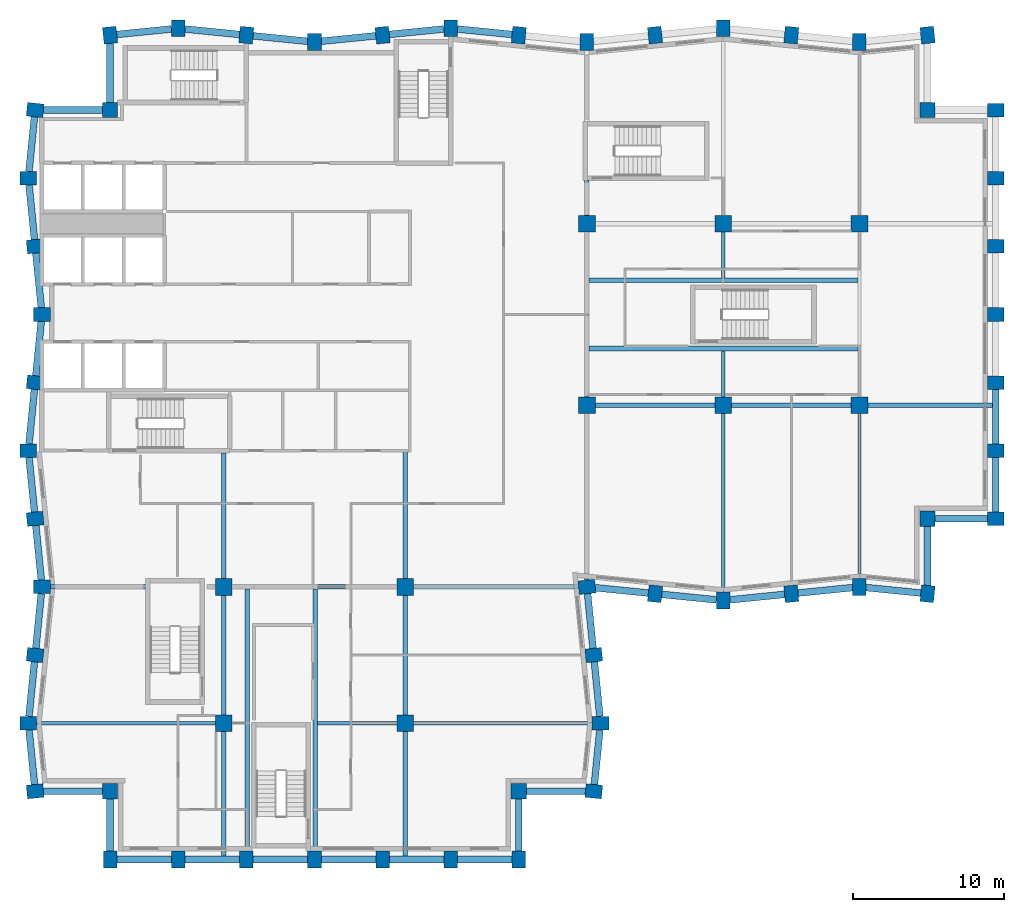
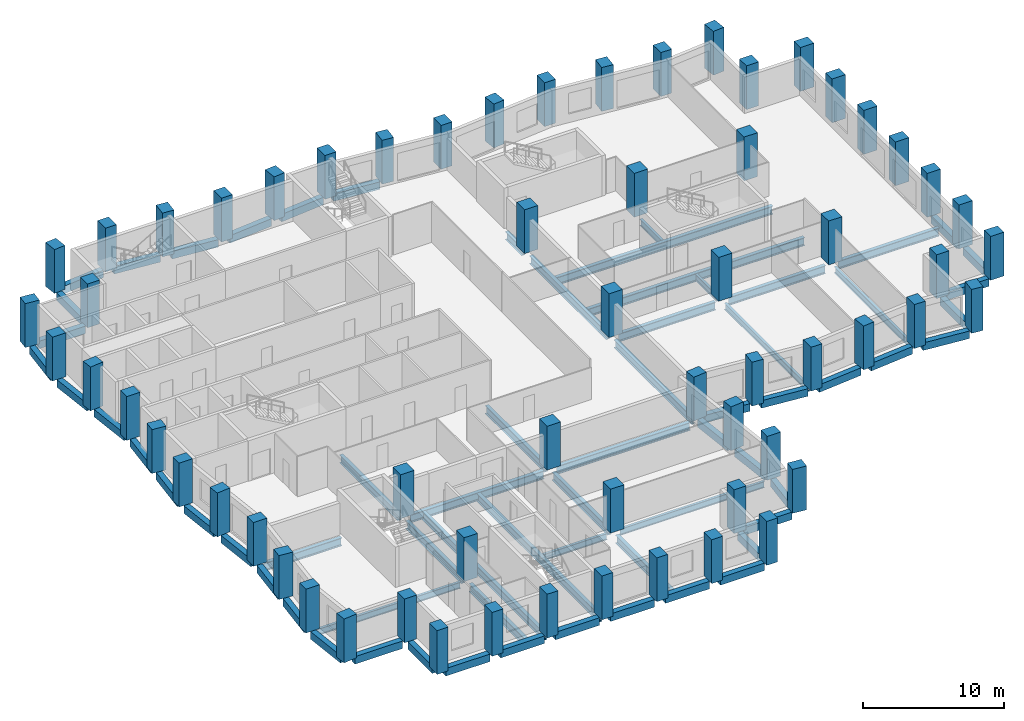
# One storey, part 1 of 10: 66 beams, 62 columns.
"""IFC4 building model written with IfcOpenShell, lengths in metres."""

from ifc_helpers import new_model, si_unit, direction, frame, origin, origin_2d, place, context, subcontext, project, spatial, rectangle, i_section, extrude, material, material_profile, profile_set, type_object, element, save


model = new_model("IFC4")

# Units and contexts
model_context = context("Model", 3, precision=1e-05, world=origin(), true_north=direction((0.0, 1.0)))
body_context = subcontext(model_context, "Body", "Model", "MODEL_VIEW")
ifc_project = project(units=[si_unit("LENGTHUNIT", "METRE"), si_unit("AREAUNIT", "SQUARE_METRE"), si_unit("VOLUMEUNIT", "CUBIC_METRE"), si_unit("PLANEANGLEUNIT", "RADIAN"), si_unit("MASSUNIT", "GRAM", prefix="KILO")], contexts=[model_context])

# Site, building, storey
site_placement = place(None, origin())
site = spatial("IfcSite", under=ifc_project, at=site_placement, CompositionType="ELEMENT")
building_placement = place(site_placement, origin())
building = spatial("IfcBuilding", under=site, at=building_placement, Name="Brondeck Convention Tower", CompositionType="ELEMENT")
storey_placement = place(building_placement, frame((0.0, 0.0, 158.60009765625)))
storey = spatial("IfcBuildingStorey", under=building, at=storey_placement, Name="L38", CompositionType="ELEMENT", Elevation=158.60009765625)

# Columns
ifc_material_1 = material(Name="Concrete C70/85", Category="concrete")
ifc_material_profile_1 = material_profile(ifc_material_1, rectangle(XDim=1.0, YDim=1.0, at=origin_2d()), Name="Corner column 1000x1000 Concrete C70/85")
ifc_profile_set_1 = profile_set([ifc_material_profile_1], Name="Concrete C70/85")
column_type_1 = type_object("IfcColumnType", Name="Corner column 1000x1000 Concrete C70/85", PredefinedType="COLUMN", material=ifc_profile_set_1)
for number, where, z_axis, x_axis, name in (
    (1, (4.5, 13.5, 0.0), (0.0, 0.0, 1.0), (1.0, 0.0, 0.0), "STR-COL-L38-NC-SWB9"),
    (2, (31.5, 13.5, 0.0), (0.0, 0.0, 1.0), (1.0, 0.0, 0.0), "STR-COL-L38-NC-SEB9"),
    (3, (58.5, 31.5, 0.0), (0.0, 0.0, 1.0), (1.0, 0.0, 0.0), "STR-COL-L38-NC-SEA63"),
    (4, (58.5, 58.5, 0.0), (0.0, 0.0, 1.0), (1.0, 0.0, 0.0), "STR-COL-L38-NC-NEA63"),
    (5, (4.5, 58.5, 0.0), (0.0, 0.0, 1.0), (1.0, 0.0, 0.0), "STR-COL-L38-NC-NW"),
):
    element("IfcColumn", number, at=place(storey_placement, frame(where, z_axis=z_axis, x_axis=x_axis)), inside=storey, type_object=column_type_1, Name=name, PredefinedType="COLUMN", context=body_context, shape_type="SweptSolid", body=[
        extrude(rectangle(XDim=1.0, YDim=1.0, at=origin_2d()), origin(), (0.0, 0.0, 1.0), 3.7998046875),
    ])
ifc_material_profile_2 = material_profile(ifc_material_1, rectangle(XDim=1.10009765625, YDim=1.10009765625, at=origin_2d()), Name="Interior column 1100x1100 Concrete C70/85")
ifc_profile_set_2 = profile_set([ifc_material_profile_2], Name="Concrete C70/85")
column_type_2 = type_object("IfcColumnType", Name="Interior column 1100x1100 Concrete C70/85", PredefinedType="COLUMN", material=ifc_profile_set_2)
for number, where, z_axis, x_axis, name in (
    (6, (12.0, 18.0, 0.0), (0.0, 0.0, 1.0), (1.0, 0.0, 0.0), "STR-COL-L38-IC-02"),
    (7, (12.0, 27.0, 0.0), (0.0, 0.0, 1.0), (1.0, 0.0, 0.0), "STR-COL-L38-IC-03"),
    (8, (24.0, 18.0, 0.0), (0.0, 0.0, 1.0), (1.0, 0.0, 0.0), "STR-COL-L38-IC-05"),
    (9, (24.0, 27.0, 0.0), (0.0, 0.0, 1.0), (1.0, 0.0, 0.0), "STR-COL-L38-IC-06"),
    (10, (36.0, 39.0, 0.0), (0.0, 0.0, 1.0), (1.0, 0.0, 0.0), "STR-COL-L38-IC-07"),
    (11, (36.0, 51.0, 0.0), (0.0, 0.0, 1.0), (1.0, 0.0, 0.0), "STR-COL-L38-IC-08"),
    (12, (45.0, 39.0, 0.0), (0.0, 0.0, 1.0), (1.0, 0.0, 0.0), "STR-COL-L38-IC-09"),
    (13, (45.0, 51.0, 0.0), (0.0, 0.0, 1.0), (1.0, 0.0, 0.0), "STR-COL-L38-IC-10"),
    (14, (54.0, 39.0, 0.0), (0.0, 0.0, 1.0), (1.0, 0.0, 0.0), "STR-COL-L38-IC-11"),
    (15, (54.0, 51.0, 0.0), (0.0, 0.0, 1.0), (1.0, 0.0, 0.0), "STR-COL-L38-IC-12"),
):
    element("IfcColumn", number, at=place(storey_placement, frame(where, z_axis=z_axis, x_axis=x_axis)), inside=storey, type_object=column_type_2, Name=name, PredefinedType="COLUMN", context=body_context, shape_type="SweptSolid", body=[
        extrude(rectangle(XDim=1.10009765625, YDim=1.10009765625, at=origin_2d()), origin(), (0.0, 0.0, 1.0), 3.7998046875),
    ])
ifc_material_profile_3 = material_profile(ifc_material_1, rectangle(XDim=0.89990234375, YDim=1.10009765625, at=origin_2d()), Name="Perimeter pier 900x1100 Concrete C70/85")
ifc_profile_set_3 = profile_set([ifc_material_profile_3], Name="Concrete C70/85")
column_type_3 = type_object("IfcColumnType", Name="Perimeter pier 900x1100 Concrete C70/85", PredefinedType="COLUMN", material=ifc_profile_set_3)
for number, where, z_axis, x_axis, name in (
    (16, (4.5, 9.0, 0.0), (0.0, 0.0, 1.0), (1.0, 0.0, 0.0), "STR-COL-L38-PC-B-S9-01"),
    (17, (9.0, 9.0, 0.0), (0.0, 0.0, 1.0), (1.0, 0.0, 0.0), "STR-COL-L38-PC-B-S9-02"),
    (18, (13.5, 9.0, 0.0), (0.0, 0.0, 1.0), (1.0, 0.0, 0.0), "STR-COL-L38-PC-B-S9-03"),
    (19, (18.0, 9.0, 0.0), (0.0, 0.0, 1.0), (1.0, 0.0, 0.0), "STR-COL-L38-PC-B-S9-04"),
    (20, (22.5, 9.0, 0.0), (0.0, 0.0, 1.0), (1.0, 0.0, 0.0), "STR-COL-L38-PC-B-S9-05"),
    (21, (27.0, 9.0, 0.0), (0.0, 0.0, 1.0), (1.0, 0.0, 0.0), "STR-COL-L38-PC-B-S9-06"),
    (22, (31.5, 9.0, 0.0), (0.0, 0.0, 1.0), (1.0, 0.0, 0.0), "STR-COL-L38-PC-B-S9-07"),
    (23, (36.449951171875, 13.5, 0.0), (0.0, 0.0, 1.0), (0.0995038382, 0.995037178292, 0.0), "STR-COL-L38-PC-B-E-03"),
    (24, (36.89990234375, 18.0, 0.0), (0.0, 0.0, 1.0), (0.0, 1.0, 0.0), "STR-COL-L38-PC-B-E-02"),
    (25, (36.449951171875, 22.5, 0.0), (0.0, 0.0, 1.0), (-0.0995038382, 0.995037178292, 0.0), "STR-COL-L38-PC-B-E-01"),
    (26, (36.0, 27.0, 0.0), (0.0, 0.0, 1.0), (-0.0995038382, 0.995037178292, 0.0), "STR-COL-L38-PC-B-E-00"),
    (27, (40.5, 26.550048828125, 0.0), (0.0, 0.0, 1.0), (0.995037178292, -0.0995038382, 0.0), "STR-COL-L38-PC-A-S-01"),
    (28, (45.0, 26.10009765625, 0.0), (0.0, 0.0, 1.0), (1.0, 0.0, 0.0), "STR-COL-L38-PC-A-S-02"),
    (29, (49.5, 26.550048828125, 0.0), (0.0, 0.0, 1.0), (0.995037178292, 0.0995038382, 0.0), "STR-COL-L38-PC-A-S-03"),
    (30, (54.0, 27.0, 0.0), (0.0, 0.0, 1.0), (1.0, 0.0, 0.0), "STR-COL-L38-PC-A-S-04"),
    (31, (58.5, 26.550048828125, 0.0), (0.0, 0.0, 1.0), (0.995037178292, -0.0995038382, 0.0), "STR-COL-L38-PC-A-S-05"),
    (32, (63.0, 31.5, 0.0), (0.0, 0.0, 1.0), (0.0, 1.0, 0.0), "STR-COL-L38-PC-A-E63-01"),
    (33, (63.0, 36.0, 0.0), (0.0, 0.0, 1.0), (0.0, 1.0, 0.0), "STR-COL-L38-PC-A-E63-02"),
    (34, (63.0, 40.5, 0.0), (0.0, 0.0, 1.0), (0.0, 1.0, 0.0), "STR-COL-L38-PC-A-E63-03"),
    (35, (63.0, 45.0, 0.0), (0.0, 0.0, 1.0), (0.0, 1.0, 0.0), "STR-COL-L38-PC-A-E63-04"),
    (36, (63.0, 49.5, 0.0), (0.0, 0.0, 1.0), (0.0, 1.0, 0.0), "STR-COL-L38-PC-A-E63-05"),
    (37, (63.0, 54.0, 0.0), (0.0, 0.0, 1.0), (0.0, 1.0, 0.0), "STR-COL-L38-PC-A-E63-06"),
    (38, (63.0, 58.5, 0.0), (0.0, 0.0, 1.0), (0.0, 1.0, 0.0), "STR-COL-L38-PC-A-E63-07"),
    (39, (58.5, 63.449951171875, 0.0), (0.0, 0.0, 1.0), (-0.995037178292, -0.0995038382, 0.0), "STR-COL-L38-PC-A-N-13"),
    (40, (54.0, 63.0, 0.0), (0.0, 0.0, 1.0), (-1.0, 0.0, 0.0), "STR-COL-L38-PC-A-N-12"),
    (41, (49.5, 63.449951171875, 0.0), (0.0, 0.0, 1.0), (-0.995037178292, 0.0995038382, 0.0), "STR-COL-L38-PC-A-N-11"),
    (42, (45.0, 63.89990234375, 0.0), (0.0, 0.0, 1.0), (-1.0, 0.0, 0.0), "STR-COL-L38-PC-A-N-10"),
    (43, (40.5, 63.449951171875, 0.0), (0.0, 0.0, 1.0), (-0.995037178292, -0.0995038382, 0.0), "STR-COL-L38-PC-A-N-09"),
    (44, (36.0, 63.0, 0.0), (0.0, 0.0, 1.0), (-1.0, 0.0, 0.0), "STR-COL-L38-PC-A-N-08"),
    (45, (31.5, 63.449951171875, 0.0), (0.0, 0.0, 1.0), (-0.995037178292, 0.0995038382, 0.0), "STR-COL-L38-PC-A-N-07"),
    (46, (27.0, 63.89990234375, 0.0), (0.0, 0.0, 1.0), (-1.0, 0.0, 0.0), "STR-COL-L38-PC-A-N-06"),
    (47, (22.5, 63.449951171875, 0.0), (0.0, 0.0, 1.0), (-0.995037178292, -0.0995038382, 0.0), "STR-COL-L38-PC-A-N-05"),
    (48, (18.0, 63.0, 0.0), (0.0, 0.0, 1.0), (-1.0, 0.0, 0.0), "STR-COL-L38-PC-A-N-04"),
    (49, (13.5, 63.449951171875, 0.0), (0.0, 0.0, 1.0), (-0.995037178292, 0.0995038382, 0.0), "STR-COL-L38-PC-A-N-03"),
    (50, (9.0, 63.89990234375, 0.0), (0.0, 0.0, 1.0), (-1.0, 0.0, 0.0), "STR-COL-L38-PC-A-N-02"),
    (51, (4.5, 63.449951171875, 0.0), (0.0, 0.0, 1.0), (-0.995037178292, -0.0995038382, 0.0), "STR-COL-L38-PC-A-N-01"),
    (52, (-0.449951171875, 58.5, 0.0), (0.0, 0.0, 1.0), (-0.0995038382, -0.995037178292, 0.0), "STR-COL-L38-PC-B-W-01"),
    (53, (-0.89990234375, 54.0, 0.0), (0.0, 0.0, 1.0), (0.0, -1.0, 0.0), "STR-COL-L38-PC-B-W-02"),
    (54, (-0.449951171875, 49.5, 0.0), (0.0, 0.0, 1.0), (0.0995038382, -0.995037178292, 0.0), "STR-COL-L38-PC-B-W-03"),
    (55, (0.0, 45.0, 0.0), (0.0, 0.0, 1.0), (0.0, -1.0, 0.0), "STR-COL-L38-PC-B-W-04"),
    (56, (-0.449951171875, 40.5, 0.0), (0.0, 0.0, 1.0), (-0.0995038382, -0.995037178292, 0.0), "STR-COL-L38-PC-B-W-05"),
    (57, (-0.89990234375, 36.0, 0.0), (0.0, 0.0, 1.0), (0.0, -1.0, 0.0), "STR-COL-L38-PC-B-W-06"),
    (58, (-0.449951171875, 31.5, 0.0), (0.0, 0.0, 1.0), (0.0995038382, -0.995037178292, 0.0), "STR-COL-L38-PC-B-W-07"),
    (59, (0.0, 27.0, 0.0), (0.0, 0.0, 1.0), (0.0, -1.0, 0.0), "STR-COL-L38-PC-B-W-08"),
    (60, (-0.449951171875, 22.5, 0.0), (0.0, 0.0, 1.0), (-0.0995038382, -0.995037178292, 0.0), "STR-COL-L38-PC-B-W-09"),
    (61, (-0.89990234375, 18.0, 0.0), (0.0, 0.0, 1.0), (0.0, -1.0, 0.0), "STR-COL-L38-PC-B-W-10"),
    (62, (-0.449951171875, 13.5, 0.0), (0.0, 0.0, 1.0), (0.0995038382, -0.995037178292, 0.0), "STR-COL-L38-PC-B-W-11"),
):
    element("IfcColumn", number, at=place(storey_placement, frame(where, z_axis=z_axis, x_axis=x_axis)), inside=storey, type_object=column_type_3, Name=name, PredefinedType="COLUMN", context=body_context, shape_type="SweptSolid", body=[
        extrude(rectangle(XDim=0.89990234375, YDim=1.10009765625, at=origin_2d()), origin(), (0.0, 0.0, 1.0), 3.7998046875),
    ])

# Beams
ifc_material_2 = material(Name="Steel S355", Category="steel")
ifc_material_profile_4 = material_profile(ifc_material_2, i_section(OverallWidth=0.2099609375, OverallDepth=0.550048828125, WebThickness=0.010986328125, FlangeThickness=0.01708984375, FilletRadius=0.02392578125, at=origin_2d()), Name="IPE 550")
ifc_profile_set_4 = profile_set([ifc_material_profile_4], Name="Steel S355")
beam_type_1 = type_object("IfcBeamType", Name="Floor beam IPE 550", PredefinedType="BEAM", material=ifc_profile_set_4)
beam_1_placement = place(storey_placement, frame((45.0, 26.64990234375, -0.5751953125), z_axis=(0.0, 1.0, 0.0), x_axis=(-1.0, 0.0, 0.0)))
element("IfcBeam", 63, at=beam_1_placement, inside=storey, type_object=beam_type_1, Name="STR-FB-L38-001", PredefinedType="BEAM", context=body_context, shape_type="SweptSolid", body=[
    extrude(i_section(OverallWidth=0.2099609375, OverallDepth=0.550048828125, WebThickness=0.010986328125, FlangeThickness=0.01708984375, FilletRadius=0.02392578125, at=origin_2d()), origin(), (0.0, 0.0, 1.0), 11.800048828125),
])
beam_2_placement = place(storey_placement, frame((54.0, 27.550048828125, -0.5751953125), z_axis=(0.0, 1.0, 0.0), x_axis=(-1.0, 0.0, 0.0)))
element("IfcBeam", 64, at=beam_2_placement, inside=storey, type_object=beam_type_1, Name="STR-FB-L38-003", PredefinedType="BEAM", context=body_context, shape_type="SweptSolid", body=[
    extrude(i_section(OverallWidth=0.2099609375, OverallDepth=0.550048828125, WebThickness=0.010986328125, FlangeThickness=0.01708984375, FilletRadius=0.02392578125, at=origin_2d()), origin(), (0.0, 0.0, 1.0), 10.89990234375),
])
for number, where, z_axis, x_axis, name in (
    (65, (-0.35009765625, 18.0, -0.5751953125), (1.0, 0.0, 0.0), (0.0, 1.0, 0.0), "STR-FB-L38-006"),
    (66, (24.550048828125, 18.0, -0.5751953125), (1.0, 0.0, 0.0), (0.0, 1.0, 0.0), "STR-FB-L38-007"),
):
    element("IfcBeam", number, at=place(storey_placement, frame(where, z_axis=z_axis, x_axis=x_axis)), inside=storey, type_object=beam_type_1, Name=name, PredefinedType="BEAM", context=body_context, shape_type="SweptSolid", body=[
        extrude(i_section(OverallWidth=0.2099609375, OverallDepth=0.550048828125, WebThickness=0.010986328125, FlangeThickness=0.01708984375, FilletRadius=0.02392578125, at=origin_2d()), origin(), (0.0, 0.0, 1.0), 11.800048828125),
    ])
for number, where, z_axis, x_axis, name in (
    (67, (45.0, 39.550048828125, -0.5751953125), (0.0, 1.0, 0.0), (-1.0, 0.0, 0.0), "STR-FB-L38-008"),
    (68, (45.0, 47.39990234375, -0.5751953125), (0.0, 1.0, 0.0), (-1.0, 0.0, 0.0), "STR-FB-L38-009"),
):
    element("IfcBeam", number, at=place(storey_placement, frame(where, z_axis=z_axis, x_axis=x_axis)), inside=storey, type_object=beam_type_1, Name=name, PredefinedType="BEAM", context=body_context, shape_type="SweptSolid", body=[
        extrude(i_section(OverallWidth=0.2099609375, OverallDepth=0.550048828125, WebThickness=0.010986328125, FlangeThickness=0.01708984375, FilletRadius=0.02392578125, at=origin_2d()), origin(), (0.0, 0.0, 1.0), 3.050048828125),
    ])
beam_3_placement = place(storey_placement, frame((18.199951171875, 18.0, -0.5751953125), z_axis=(1.0, 0.0, 0.0), x_axis=(0.0, 1.0, 0.0)))
element("IfcBeam", 69, at=beam_3_placement, inside=storey, type_object=beam_type_1, Name="STR-FB-L38-010", PredefinedType="BEAM", context=body_context, shape_type="SweptSolid", body=[
    extrude(i_section(OverallWidth=0.2099609375, OverallDepth=0.550048828125, WebThickness=0.010986328125, FlangeThickness=0.01708984375, FilletRadius=0.02392578125, at=origin_2d()), origin(), (0.0, 0.0, 1.0), 5.25),
])
ifc_material_profile_5 = material_profile(ifc_material_2, i_section(OverallWidth=0.300048828125, OverallDepth=0.699951171875, WebThickness=0.01708984375, FlangeThickness=0.031982421875, FilletRadius=0.027099609375, at=origin_2d()), Name="HEB 700")
ifc_profile_set_5 = profile_set([ifc_material_profile_5], Name="Steel S355")
beam_type_2 = type_object("IfcBeamType", Name="Girder HEB 700", PredefinedType="BEAM", material=ifc_profile_set_5)
for number, where, z_axis, x_axis, name in (
    (70, (36.550048828125, 39.0, -0.650146484375), (1.0, 0.0, 0.0), (0.0, 1.0, 0.0), "STR-GR-L38-001"),
    (71, (45.550048828125, 39.0, -0.650146484375), (1.0, 0.0, 0.0), (0.0, 1.0, 0.0), "STR-GR-L38-002"),
):
    element("IfcBeam", number, at=place(storey_placement, frame(where, z_axis=z_axis, x_axis=x_axis)), inside=storey, type_object=beam_type_2, Name=name, PredefinedType="BEAM", context=body_context, shape_type="SweptSolid", body=[
        extrude(i_section(OverallWidth=0.300048828125, OverallDepth=0.699951171875, WebThickness=0.01708984375, FlangeThickness=0.031982421875, FilletRadius=0.027099609375, at=origin_2d()), origin(), (0.0, 0.0, 1.0), 7.89990234375),
    ])
beam_4_placement = place(storey_placement, frame((54.550048828125, 39.0, -0.650146484375), z_axis=(1.0, 0.0, 0.0), x_axis=(0.0, 1.0, 0.0)))
element("IfcBeam", 72, at=beam_4_placement, inside=storey, type_object=beam_type_2, Name="STR-GR-L38-003", PredefinedType="BEAM", context=body_context, shape_type="SweptSolid", body=[
    extrude(i_section(OverallWidth=0.300048828125, OverallDepth=0.699951171875, WebThickness=0.01708984375, FlangeThickness=0.031982421875, FilletRadius=0.027099609375, at=origin_2d()), origin(), (0.0, 0.0, 1.0), 8.224853515625),
])
beam_5_placement = place(storey_placement, frame((36.0, 27.4521484375, -0.650146484375), z_axis=(0.0, 1.0, 0.0), x_axis=(-1.0, 0.0, 0.0)))
element("IfcBeam", 73, at=beam_5_placement, inside=storey, type_object=beam_type_2, Name="STR-GR-L38-007", PredefinedType="BEAM", context=body_context, shape_type="SweptSolid", body=[
    extrude(i_section(OverallWidth=0.300048828125, OverallDepth=0.699951171875, WebThickness=0.01708984375, FlangeThickness=0.031982421875, FilletRadius=0.027099609375, at=origin_2d()), origin(), (0.0, 0.0, 1.0), 10.997802734375),
])
beam_6_placement = place(storey_placement, frame((36.0, 39.550048828125, -0.650146484375), z_axis=(0.0, 1.0, 0.0), x_axis=(-1.0, 0.0, 0.0)))
element("IfcBeam", 74, at=beam_6_placement, inside=storey, type_object=beam_type_2, Name="STR-GR-L38-008", PredefinedType="BEAM", context=body_context, shape_type="SweptSolid", body=[
    extrude(i_section(OverallWidth=0.300048828125, OverallDepth=0.699951171875, WebThickness=0.01708984375, FlangeThickness=0.031982421875, FilletRadius=0.027099609375, at=origin_2d()), origin(), (0.0, 0.0, 1.0), 10.89990234375),
])
beam_7_placement = place(storey_placement, frame((36.0, 51.550048828125, -0.650146484375), z_axis=(0.0, 1.0, 0.0), x_axis=(-1.0, 0.0, 0.0)))
element("IfcBeam", 75, at=beam_7_placement, inside=storey, type_object=beam_type_2, Name="STR-GR-L38-009", PredefinedType="BEAM", context=body_context, shape_type="SweptSolid", body=[
    extrude(i_section(OverallWidth=0.300048828125, OverallDepth=0.699951171875, WebThickness=0.01708984375, FlangeThickness=0.031982421875, FilletRadius=0.027099609375, at=origin_2d()), origin(), (0.0, 0.0, 1.0), 2.329833984375),
])
beam_8_placement = place(storey_placement, frame((12.0, 35.85009765625, -0.650146484375), z_axis=(0.0, -1.0, 0.0), x_axis=(1.0, 0.0, 0.0)))
element("IfcBeam", 76, at=beam_8_placement, inside=storey, type_object=beam_type_2, Name="STR-GR-L38-011", PredefinedType="BEAM", context=body_context, shape_type="SweptSolid", body=[
    extrude(i_section(OverallWidth=0.300048828125, OverallDepth=0.699951171875, WebThickness=0.01708984375, FlangeThickness=0.031982421875, FilletRadius=0.027099609375, at=origin_2d()), origin(), (0.0, 0.0, 1.0), 8.300048828125),
])
beam_9_placement = place(storey_placement, frame((12.0, 26.449951171875, -0.650146484375), z_axis=(0.0, -1.0, 0.0), x_axis=(1.0, 0.0, 0.0)))
element("IfcBeam", 77, at=beam_9_placement, inside=storey, type_object=beam_type_2, Name="STR-GR-L38-012", PredefinedType="BEAM", context=body_context, shape_type="SweptSolid", body=[
    extrude(i_section(OverallWidth=0.300048828125, OverallDepth=0.699951171875, WebThickness=0.01708984375, FlangeThickness=0.031982421875, FilletRadius=0.027099609375, at=origin_2d()), origin(), (0.0, 0.0, 1.0), 7.89990234375),
])
beam_10_placement = place(storey_placement, frame((12.0, 17.449951171875, -0.650146484375), z_axis=(0.0, -1.0, 0.0), x_axis=(1.0, 0.0, 0.0)))
element("IfcBeam", 78, at=beam_10_placement, inside=storey, type_object=beam_type_2, Name="STR-GR-L38-013", PredefinedType="BEAM", context=body_context, shape_type="SweptSolid", body=[
    extrude(i_section(OverallWidth=0.300048828125, OverallDepth=0.699951171875, WebThickness=0.01708984375, FlangeThickness=0.031982421875, FilletRadius=0.027099609375, at=origin_2d()), origin(), (0.0, 0.0, 1.0), 8.224853515625),
])
beam_11_placement = place(storey_placement, frame((24.0, 35.955078125, -0.650146484375), z_axis=(0.0, -1.0, 0.0), x_axis=(1.0, 0.0, 0.0)))
element("IfcBeam", 79, at=beam_11_placement, inside=storey, type_object=beam_type_2, Name="STR-GR-L38-014", PredefinedType="BEAM", context=body_context, shape_type="SweptSolid", body=[
    extrude(i_section(OverallWidth=0.300048828125, OverallDepth=0.699951171875, WebThickness=0.01708984375, FlangeThickness=0.031982421875, FilletRadius=0.027099609375, at=origin_2d()), origin(), (0.0, 0.0, 1.0), 8.405029296875),
])
beam_12_placement = place(storey_placement, frame((24.0, 26.449951171875, -0.650146484375), z_axis=(0.0, -1.0, 0.0), x_axis=(1.0, 0.0, 0.0)))
element("IfcBeam", 80, at=beam_12_placement, inside=storey, type_object=beam_type_2, Name="STR-GR-L38-015", PredefinedType="BEAM", context=body_context, shape_type="SweptSolid", body=[
    extrude(i_section(OverallWidth=0.300048828125, OverallDepth=0.699951171875, WebThickness=0.01708984375, FlangeThickness=0.031982421875, FilletRadius=0.027099609375, at=origin_2d()), origin(), (0.0, 0.0, 1.0), 7.89990234375),
])
beam_13_placement = place(storey_placement, frame((24.0, 17.449951171875, -0.650146484375), z_axis=(0.0, -1.0, 0.0), x_axis=(1.0, 0.0, 0.0)))
element("IfcBeam", 81, at=beam_13_placement, inside=storey, type_object=beam_type_2, Name="STR-GR-L38-016", PredefinedType="BEAM", context=body_context, shape_type="SweptSolid", body=[
    extrude(i_section(OverallWidth=0.300048828125, OverallDepth=0.699951171875, WebThickness=0.01708984375, FlangeThickness=0.031982421875, FilletRadius=0.027099609375, at=origin_2d()), origin(), (0.0, 0.0, 1.0), 8.224853515625),
])
beam_14_placement = place(storey_placement, frame((0.550048828125, 27.0, -0.650146484375), z_axis=(1.0, 0.0, 0.0), x_axis=(0.0, 1.0, 0.0)))
element("IfcBeam", 82, at=beam_14_placement, inside=storey, type_object=beam_type_2, Name="STR-GR-L38-017", PredefinedType="BEAM", context=body_context, shape_type="SweptSolid", body=[
    extrude(i_section(OverallWidth=0.300048828125, OverallDepth=0.699951171875, WebThickness=0.01708984375, FlangeThickness=0.031982421875, FilletRadius=0.027099609375, at=origin_2d()), origin(), (0.0, 0.0, 1.0), 6.329833984375),
])
beam_15_placement = place(storey_placement, frame((12.550048828125, 27.0, -0.650146484375), z_axis=(1.0, 0.0, 0.0), x_axis=(0.0, 1.0, 0.0)))
element("IfcBeam", 83, at=beam_15_placement, inside=storey, type_object=beam_type_2, Name="STR-GR-L38-018", PredefinedType="BEAM", context=body_context, shape_type="SweptSolid", body=[
    extrude(i_section(OverallWidth=0.300048828125, OverallDepth=0.699951171875, WebThickness=0.01708984375, FlangeThickness=0.031982421875, FilletRadius=0.027099609375, at=origin_2d()), origin(), (0.0, 0.0, 1.0), 10.89990234375),
])
beam_16_placement = place(storey_placement, frame((24.550048828125, 27.0, -0.650146484375), z_axis=(1.0, 0.0, 0.0), x_axis=(0.0, 1.0, 0.0)))
element("IfcBeam", 84, at=beam_16_placement, inside=storey, type_object=beam_type_2, Name="STR-GR-L38-019", PredefinedType="BEAM", context=body_context, shape_type="SweptSolid", body=[
    extrude(i_section(OverallWidth=0.300048828125, OverallDepth=0.699951171875, WebThickness=0.01708984375, FlangeThickness=0.031982421875, FilletRadius=0.027099609375, at=origin_2d()), origin(), (0.0, 0.0, 1.0), 10.897216796875),
])
for number, where, z_axis, x_axis, name in (
    (85, (36.14990234375, 42.75, -0.650146484375), (1.0, 0.0, 0.0), (0.0, 1.0, 0.0), "STR-GR-L38-020"),
    (86, (36.14990234375, 47.25, -0.650146484375), (1.0, 0.0, 0.0), (0.0, 1.0, 0.0), "STR-GR-L38-021"),
):
    element("IfcBeam", number, at=place(storey_placement, frame(where, z_axis=z_axis, x_axis=x_axis)), inside=storey, type_object=beam_type_2, Name=name, PredefinedType="BEAM", context=body_context, shape_type="SweptSolid", body=[
        extrude(i_section(OverallWidth=0.300048828125, OverallDepth=0.699951171875, WebThickness=0.01708984375, FlangeThickness=0.031982421875, FilletRadius=0.027099609375, at=origin_2d()), origin(), (0.0, 0.0, 1.0), 17.7451171875),
    ])
for number, where, z_axis, x_axis, name in (
    (87, (13.550048828125, 9.550048828125, -0.650146484375), (0.0, 1.0, 0.0), (-1.0, 0.0, 0.0), "STR-GR-L38-022"),
    (88, (18.050048828125, 9.550048828125, -0.650146484375), (0.0, 1.0, 0.0), (-1.0, 0.0, 0.0), "STR-GR-L38-023"),
):
    element("IfcBeam", number, at=place(storey_placement, frame(where, z_axis=z_axis, x_axis=x_axis)), inside=storey, type_object=beam_type_2, Name=name, PredefinedType="BEAM", context=body_context, shape_type="SweptSolid", body=[
        extrude(i_section(OverallWidth=0.300048828125, OverallDepth=0.699951171875, WebThickness=0.01708984375, FlangeThickness=0.031982421875, FilletRadius=0.027099609375, at=origin_2d()), origin(), (0.0, 0.0, 1.0), 17.300048828125),
    ])
ifc_material_profile_6 = material_profile(ifc_material_1, rectangle(XDim=0.449951171875, YDim=0.64990234375, at=origin_2d()), Name="Precast spandrel 450x650 Concrete C70/85")
ifc_profile_set_6 = profile_set([ifc_material_profile_6], Name="Concrete C70/85")
beam_type_3 = type_object("IfcBeamType", Name="Precast spandrel 450x650 Concrete C70/85", PredefinedType="SPANDREL", material=ifc_profile_set_6)
for number, where, z_axis, x_axis, name in (
    (89, (4.949951171875, 9.0, -0.3251953125), (1.0, 0.0, 0.0), (0.0, 1.0, 0.0), "STR-SP-L38-001"),
    (90, (9.449951171875, 9.0, -0.3251953125), (1.0, 0.0, 0.0), (0.0, 1.0, 0.0), "STR-SP-L38-002"),
    (91, (13.949951171875, 9.0, -0.3251953125), (1.0, 0.0, 0.0), (0.0, 1.0, 0.0), "STR-SP-L38-003"),
    (92, (18.449951171875, 9.0, -0.3251953125), (1.0, 0.0, 0.0), (0.0, 1.0, 0.0), "STR-SP-L38-004"),
    (93, (22.949951171875, 9.0, -0.3251953125), (1.0, 0.0, 0.0), (0.0, 1.0, 0.0), "STR-SP-L38-005"),
    (94, (27.449951171875, 9.0, -0.3251953125), (1.0, 0.0, 0.0), (0.0, 1.0, 0.0), "STR-SP-L38-006"),
):
    element("IfcBeam", number, at=place(storey_placement, frame(where, z_axis=z_axis, x_axis=x_axis)), inside=storey, type_object=beam_type_3, Name=name, PredefinedType="SPANDREL", context=body_context, shape_type="SweptSolid", body=[
        extrude(rectangle(XDim=0.449951171875, YDim=0.64990234375, at=origin_2d()), origin(), (0.0, 0.0, 1.0), 3.60009765625),
    ])
beam_17_placement = place(storey_placement, frame((31.5, 9.550048828125, -0.3251953125), z_axis=(0.0, 1.0, 0.0), x_axis=(-1.0, 0.0, 0.0)))
element("IfcBeam", 95, at=beam_17_placement, inside=storey, type_object=beam_type_3, Name="STR-SP-L38-007", PredefinedType="SPANDREL", context=body_context, shape_type="SweptSolid", body=[
    extrude(rectangle(XDim=0.449951171875, YDim=0.64990234375, at=origin_2d()), origin(), (0.0, 0.0, 1.0), 3.449951171875),
])
beam_18_placement = place(storey_placement, frame((32.0, 13.5, -0.3251953125), z_axis=(1.0, 0.0, 0.0), x_axis=(0.0, 1.0, 0.0)))
element("IfcBeam", 96, at=beam_18_placement, inside=storey, type_object=beam_type_3, Name="STR-SP-L38-008", PredefinedType="SPANDREL", context=body_context, shape_type="SweptSolid", body=[
    extrude(rectangle(XDim=0.449951171875, YDim=0.64990234375, at=origin_2d()), origin(), (0.0, 0.0, 1.0), 3.897216796875),
])
for number, where, z_axis, x_axis, name in (
    (97, (36.494873046875, 13.94775390625, -0.3251953125), (0.099470334057, 0.995040528141, 0.0), (-0.995040528141, 0.099470334057, 0.0), "STR-SP-L38-009"),
    (98, (36.85498046875, 18.449951171875, -0.3251953125), (-0.099470334057, 0.995040528141, 0.0), (-0.995040528141, -0.099470334057, 0.0), "STR-SP-L38-010"),
):
    element("IfcBeam", number, at=place(storey_placement, frame(where, z_axis=z_axis, x_axis=x_axis)), inside=storey, type_object=beam_type_3, Name=name, PredefinedType="SPANDREL", context=body_context, shape_type="SweptSolid", body=[
        extrude(rectangle(XDim=0.449951171875, YDim=0.64990234375, at=origin_2d()), origin(), (0.0, 0.0, 1.0), 3.620361328125),
    ])
beam_19_placement = place(storey_placement, frame((36.4052734375, 22.94775390625, -0.3251953125), z_axis=(-0.099543756114, 0.995033185687, 0.0), x_axis=(-0.995033185687, -0.099543756114, 0.0)))
element("IfcBeam", 99, at=beam_19_placement, inside=storey, type_object=beam_type_3, Name="STR-SP-L38-011", PredefinedType="SPANDREL", context=body_context, shape_type="SweptSolid", body=[
    extrude(rectangle(XDim=0.449951171875, YDim=0.64990234375, at=origin_2d()), origin(), (0.0, 0.0, 1.0), 3.62255859375),
])
beam_20_placement = place(storey_placement, frame((36.558349609375, 26.944091796875, -0.3251953125), z_axis=(0.995037878598, -0.099496834901, 0.0), x_axis=(0.099496834901, 0.995037878598, 0.0)))
element("IfcBeam", 100, at=beam_20_placement, inside=storey, type_object=beam_type_3, Name="STR-SP-L38-012", PredefinedType="SPANDREL", context=body_context, shape_type="SweptSolid", body=[
    extrude(rectangle(XDim=0.449951171875, YDim=0.64990234375, at=origin_2d()), origin(), (0.0, 0.0, 1.0), 3.51123046875),
])
for number, where, z_axis, x_axis, name in (
    (101, (40.94775390625, 26.505126953125, -0.3251953125), (0.995040528141, -0.099470334057, 0.0), (0.099470334057, 0.995040528141, 0.0), "STR-SP-L38-013"),
    (102, (45.449951171875, 26.14501953125, -0.3251953125), (0.995040528141, 0.099470334057, 0.0), (-0.099470334057, 0.995040528141, 0.0), "STR-SP-L38-014"),
    (103, (49.94775390625, 26.5947265625, -0.3251953125), (0.995033851182, 0.099537103649, 0.0), (-0.099537103649, 0.995033851182, 0.0), "STR-SP-L38-015"),
    (104, (54.449951171875, 26.955078125, -0.3251953125), (0.995033851182, -0.099537103649, 0.0), (0.099537103649, 0.995033851182, 0.0), "STR-SP-L38-016"),
):
    element("IfcBeam", number, at=place(storey_placement, frame(where, z_axis=z_axis, x_axis=x_axis)), inside=storey, type_object=beam_type_3, Name=name, PredefinedType="SPANDREL", context=body_context, shape_type="SweptSolid", body=[
        extrude(rectangle(XDim=0.449951171875, YDim=0.64990234375, at=origin_2d()), origin(), (0.0, 0.0, 1.0), 3.620361328125),
    ])
beam_21_placement = place(storey_placement, frame((58.5, 27.102783203125, -0.3251953125), z_axis=(0.0, 1.0, 0.0), x_axis=(-1.0, 0.0, 0.0)))
element("IfcBeam", 105, at=beam_21_placement, inside=storey, type_object=beam_type_3, Name="STR-SP-L38-017", PredefinedType="SPANDREL", context=body_context, shape_type="SweptSolid", body=[
    extrude(rectangle(XDim=0.449951171875, YDim=0.64990234375, at=origin_2d()), origin(), (0.0, 0.0, 1.0), 3.897216796875),
])
beam_22_placement = place(storey_placement, frame((59.0, 31.5, -0.3251953125), z_axis=(1.0, 0.0, 0.0), x_axis=(0.0, 1.0, 0.0)))
element("IfcBeam", 106, at=beam_22_placement, inside=storey, type_object=beam_type_3, Name="STR-SP-L38-018", PredefinedType="SPANDREL", context=body_context, shape_type="SweptSolid", body=[
    extrude(rectangle(XDim=0.449951171875, YDim=0.64990234375, at=origin_2d()), origin(), (0.0, 0.0, 1.0), 3.449951171875),
])
for number, where, z_axis, x_axis, name in (
    (107, (63.0, 31.949951171875, -0.3251953125), (0.0, 1.0, 0.0), (-1.0, 0.0, 0.0), "STR-SP-L38-019"),
    (108, (63.0, 36.449951171875, -0.3251953125), (0.0, 1.0, 0.0), (-1.0, 0.0, 0.0), "STR-SP-L38-020"),
):
    element("IfcBeam", number, at=place(storey_placement, frame(where, z_axis=z_axis, x_axis=x_axis)), inside=storey, type_object=beam_type_3, Name=name, PredefinedType="SPANDREL", context=body_context, shape_type="SweptSolid", body=[
        extrude(rectangle(XDim=0.449951171875, YDim=0.64990234375, at=origin_2d()), origin(), (0.0, 0.0, 1.0), 3.60009765625),
    ])
for number, where, z_axis, x_axis, name in (
    (109, (31.05224609375, 63.494873046875, -0.3251953125), (-0.995040528141, 0.099470334057, 0.0), (-0.099470334057, -0.995040528141, 0.0), "STR-SP-L38-033"),
    (110, (26.550048828125, 63.85498046875, -0.3251953125), (-0.995040528141, -0.099470334057, 0.0), (0.099470334057, -0.995040528141, 0.0), "STR-SP-L38-034"),
    (111, (22.05224609375, 63.4052734375, -0.3251953125), (-0.995033851182, -0.099537103649, 0.0), (0.099537103649, -0.995033851182, 0.0), "STR-SP-L38-035"),
    (112, (17.550048828125, 63.044921875, -0.3251953125), (-0.995033851182, 0.099537103649, 0.0), (-0.099537103649, -0.995033851182, 0.0), "STR-SP-L38-036"),
    (113, (13.05224609375, 63.494873046875, -0.3251953125), (-0.995040528141, 0.099470334057, 0.0), (-0.099470334057, -0.995040528141, 0.0), "STR-SP-L38-037"),
    (114, (8.550048828125, 63.85498046875, -0.3251953125), (-0.995040528141, -0.099470334057, 0.0), (0.099470334057, -0.995040528141, 0.0), "STR-SP-L38-038"),
):
    element("IfcBeam", number, at=place(storey_placement, frame(where, z_axis=z_axis, x_axis=x_axis)), inside=storey, type_object=beam_type_3, Name=name, PredefinedType="SPANDREL", context=body_context, shape_type="SweptSolid", body=[
        extrude(rectangle(XDim=0.449951171875, YDim=0.64990234375, at=origin_2d()), origin(), (0.0, 0.0, 1.0), 3.620361328125),
    ])
for number, where, z_axis, x_axis, name in (
    (115, (4.5, 62.897216796875, -0.3251953125), (0.0, -1.0, 0.0), (1.0, 0.0, 0.0), "STR-SP-L38-039"),
    (116, (4.0, 58.5, -0.3251953125), (-1.0, 0.0, 0.0), (0.0, -1.0, 0.0), "STR-SP-L38-040"),
):
    element("IfcBeam", number, at=place(storey_placement, frame(where, z_axis=z_axis, x_axis=x_axis)), inside=storey, type_object=beam_type_3, Name=name, PredefinedType="SPANDREL", context=body_context, shape_type="SweptSolid", body=[
        extrude(rectangle(XDim=0.449951171875, YDim=0.64990234375, at=origin_2d()), origin(), (0.0, 0.0, 1.0), 3.897216796875),
    ])
for number, where, z_axis, x_axis, name in (
    (117, (-0.494873046875, 58.05224609375, -0.3251953125), (-0.099470334057, -0.995040528141, 0.0), (0.995040528141, -0.099470334057, 0.0), "STR-SP-L38-041"),
    (118, (-0.85498046875, 53.550048828125, -0.3251953125), (0.099470334057, -0.995040528141, 0.0), (0.995040528141, 0.099470334057, 0.0), "STR-SP-L38-042"),
    (119, (-0.4052734375, 49.05224609375, -0.3251953125), (0.099537103649, -0.995033851182, 0.0), (0.995033851182, 0.099537103649, 0.0), "STR-SP-L38-043"),
    (120, (-0.044921875, 44.550048828125, -0.3251953125), (-0.099537103649, -0.995033851182, 0.0), (0.995033851182, -0.099537103649, 0.0), "STR-SP-L38-044"),
    (121, (-0.494873046875, 40.05224609375, -0.3251953125), (-0.099470334057, -0.995040528141, 0.0), (0.995040528141, -0.099470334057, 0.0), "STR-SP-L38-045"),
    (122, (-0.85498046875, 35.550048828125, -0.3251953125), (0.099470334057, -0.995040528141, 0.0), (0.995040528141, 0.099470334057, 0.0), "STR-SP-L38-046"),
    (123, (-0.4052734375, 31.05224609375, -0.3251953125), (0.099537103649, -0.995033851182, 0.0), (0.995033851182, 0.099537103649, 0.0), "STR-SP-L38-047"),
    (124, (-0.044921875, 26.550048828125, -0.3251953125), (-0.099537103649, -0.995033851182, 0.0), (0.995033851182, -0.099537103649, 0.0), "STR-SP-L38-048"),
    (125, (-0.494873046875, 22.05224609375, -0.3251953125), (-0.099470334057, -0.995040528141, 0.0), (0.995040528141, -0.099470334057, 0.0), "STR-SP-L38-049"),
    (126, (-0.85498046875, 17.550048828125, -0.3251953125), (0.099470334057, -0.995040528141, 0.0), (0.995040528141, 0.099470334057, 0.0), "STR-SP-L38-050"),
):
    element("IfcBeam", number, at=place(storey_placement, frame(where, z_axis=z_axis, x_axis=x_axis)), inside=storey, type_object=beam_type_3, Name=name, PredefinedType="SPANDREL", context=body_context, shape_type="SweptSolid", body=[
        extrude(rectangle(XDim=0.449951171875, YDim=0.64990234375, at=origin_2d()), origin(), (0.0, 0.0, 1.0), 3.620361328125),
    ])
beam_23_placement = place(storey_placement, frame((0.102783203125, 13.5, -0.3251953125), z_axis=(1.0, 0.0, 0.0), x_axis=(0.0, 1.0, 0.0)))
element("IfcBeam", 127, at=beam_23_placement, inside=storey, type_object=beam_type_3, Name="STR-SP-L38-051", PredefinedType="SPANDREL", context=body_context, shape_type="SweptSolid", body=[
    extrude(rectangle(XDim=0.449951171875, YDim=0.64990234375, at=origin_2d()), origin(), (0.0, 0.0, 1.0), 3.897216796875),
])
beam_24_placement = place(storey_placement, frame((4.5, 13.0, -0.3251953125), z_axis=(0.0, -1.0, 0.0), x_axis=(1.0, 0.0, 0.0)))
element("IfcBeam", 128, at=beam_24_placement, inside=storey, type_object=beam_type_3, Name="STR-SP-L38-052", PredefinedType="SPANDREL", context=body_context, shape_type="SweptSolid", body=[
    extrude(rectangle(XDim=0.449951171875, YDim=0.64990234375, at=origin_2d()), origin(), (0.0, 0.0, 1.0), 3.449951171875),
])

save(model, "model.ifc")
